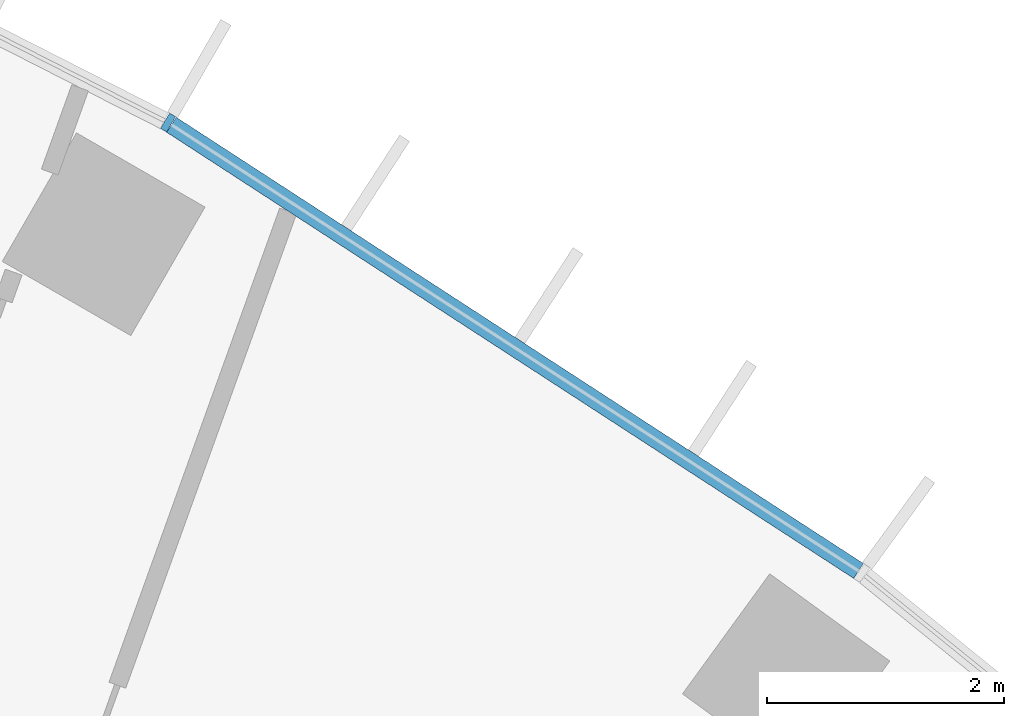
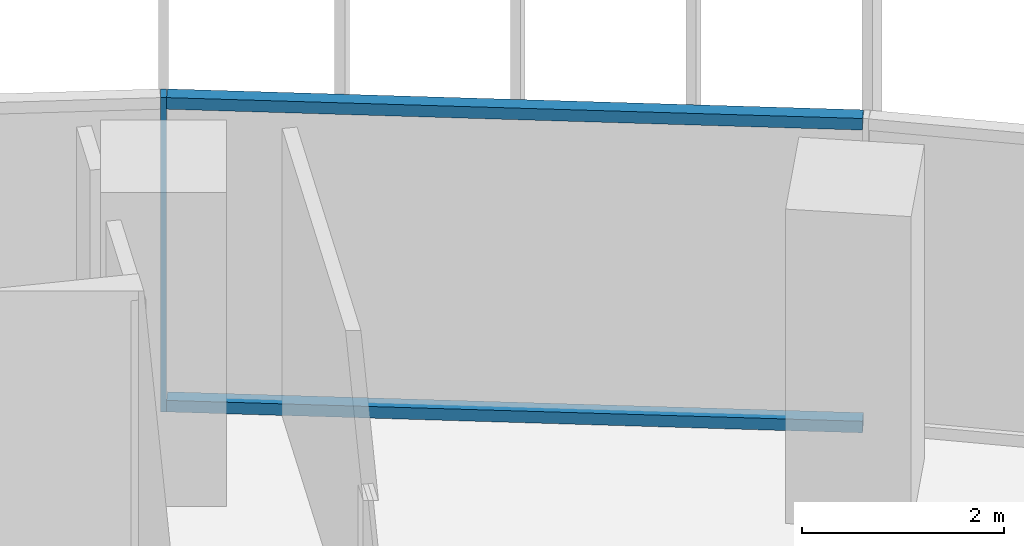
# One storey, part 14 of 25: 3 members, 1 element without a shape of its own.
"""IFC4 building model written with IfcOpenShell, lengths in metres."""

from ifc_helpers import new_model, si_unit, direction, frame, origin, origin_2d, place, context, subcontext, project, spatial, rectangle, extrude, material, layer, layer_set, material_profile, profile_set, type_object, element, aggregate, save


model = new_model("IFC4")

# Units and contexts
model_context = context("Model", 3, precision=1e-05, world=origin(), true_north=direction((0.0, 1.0)))
body_context = subcontext(model_context, "Body", "Model", "MODEL_VIEW")
ifc_project = project(units=[si_unit("LENGTHUNIT", "METRE"), si_unit("AREAUNIT", "SQUARE_METRE"), si_unit("VOLUMEUNIT", "CUBIC_METRE"), si_unit("PLANEANGLEUNIT", "RADIAN"), si_unit("MASSUNIT", "GRAM", prefix="KILO")], contexts=[model_context])

# Site, building, storey
site_placement = place(None, origin())
site = spatial("IfcSite", under=ifc_project, at=site_placement, CompositionType="ELEMENT")
building_placement = place(site_placement, origin())
building = spatial("IfcBuilding", under=site, at=building_placement, Name="Stone Belt Terrace Tower", CompositionType="ELEMENT")
storey_placement = place(building_placement, frame((0.0, 0.0, 52.800048828125)))
storey = spatial("IfcBuildingStorey", under=building, at=storey_placement, Name="L12", CompositionType="ELEMENT", Elevation=52.800048828125)

# Curtain wall, members
ifc_material = material(Name="Aluminium 6063-T6 anodised frame", Category="aluminium")
ifc_layer = layer(ifc_material, 0.14990234375)
ifc_layer_set = layer_set([ifc_layer], Name="CW-A unitised convex-face curtain wall")
curtain_wall_type = type_object("IfcCurtainWallType", Name="CW-A unitised convex-face curtain wall", PredefinedType="NOTDEFINED", material=ifc_layer_set)
curtain_wall_placement = place(storey_placement, origin())
curtain_wall = element("IfcCurtainWall", 1, at=curtain_wall_placement, inside=storey, type_object=curtain_wall_type, Name="CW-A convex face L12", PredefinedType="NOTDEFINED")
ifc_material_profile_1 = material_profile(ifc_material, rectangle(XDim=0.14990234375, YDim=0.06005859375, at=origin_2d()), Name="Aluminium 6063-T6 60x150")
ifc_profile_set_1 = profile_set([ifc_material_profile_1], Name="Aluminium 6063-T6 anodised frame")
member_type_1 = type_object("IfcMemberType", Name="CW-A mullion 60 x 150", PredefinedType="MULLION", material=ifc_profile_set_1)
member_1_placement = place(storey_placement, frame((33.28759765625, 57.65576171875, 0.0), z_axis=(0.0, 0.0, 1.0), x_axis=(-0.5, -0.866025403784, 0.0)))
member_1 = element("IfcMember", 2, at=member_1_placement, type_object=member_type_1, Name="CW-A mullion 5", PredefinedType="MULLION", context=body_context, shape_type="SweptSolid", body=[
    extrude(rectangle(XDim=0.14990234375, YDim=0.06005859375, at=origin_2d()), origin(), (0.0, 0.0, 1.0), 3.800048828125),
])
ifc_material_profile_2 = material_profile(ifc_material, rectangle(XDim=0.14990234375, YDim=0.139892578125, at=origin_2d()), Name="Aluminium 6063-T6 150x140")
ifc_profile_set_2 = profile_set([ifc_material_profile_2], Name="Aluminium 6063-T6 anodised frame")
member_type_2 = type_object("IfcMemberType", Name="CW-A transom 140 x 150", PredefinedType="USERDEFINED", material=ifc_profile_set_2)
member_2_placement = place(storey_placement, frame((39.103515625, 53.87890625, 0.070068359375), z_axis=(-0.83868440714, 0.544617723931, 0.0), x_axis=(-0.544617723931, -0.83868440714, 0.0)))
member_2 = element("IfcMember", 3, at=member_2_placement, type_object=member_type_2, Name="CW-A transom 4.1", ObjectType="TRANSOM", PredefinedType="USERDEFINED", context=body_context, shape_type="SweptSolid", body=[
    extrude(rectangle(XDim=0.14990234375, YDim=0.139892578125, at=origin_2d()), origin(), (0.0, 0.0, 1.0), 6.90087890625),
])
member_3_placement = place(storey_placement, frame((39.103515625, 53.87890625, 3.72998046875), z_axis=(-0.83868440714, 0.544617723931, 0.0), x_axis=(-0.544617723931, -0.83868440714, 0.0)))
member_3 = element("IfcMember", 4, at=member_3_placement, type_object=member_type_2, Name="CW-A transom 4.2", ObjectType="TRANSOM", PredefinedType="USERDEFINED", context=body_context, shape_type="SweptSolid", body=[
    extrude(rectangle(XDim=0.14990234375, YDim=0.139892578125, at=origin_2d()), origin(), (0.0, 0.0, 1.0), 6.90087890625),
])
aggregate(curtain_wall, [member_1, member_2, member_3])

save(model, "model.ifc")
